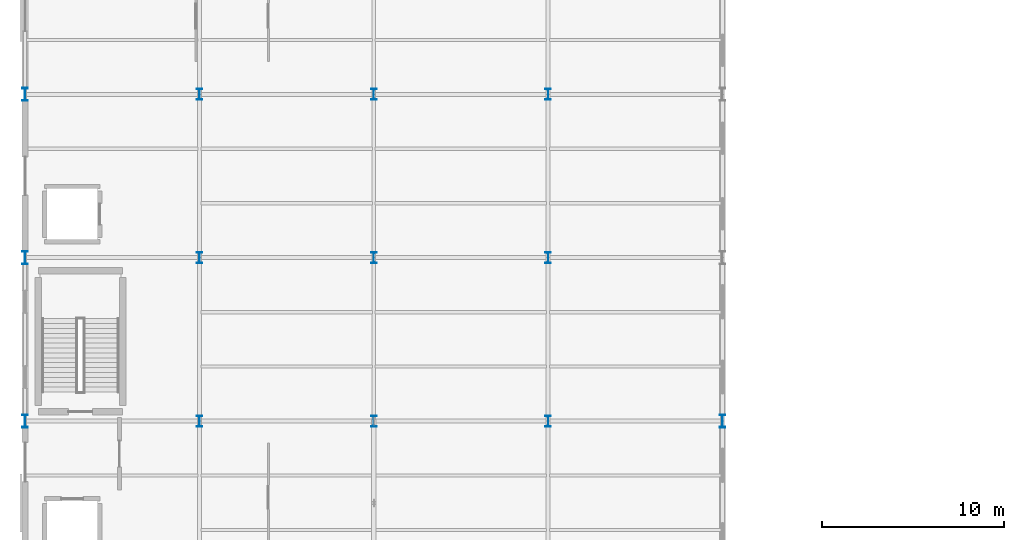
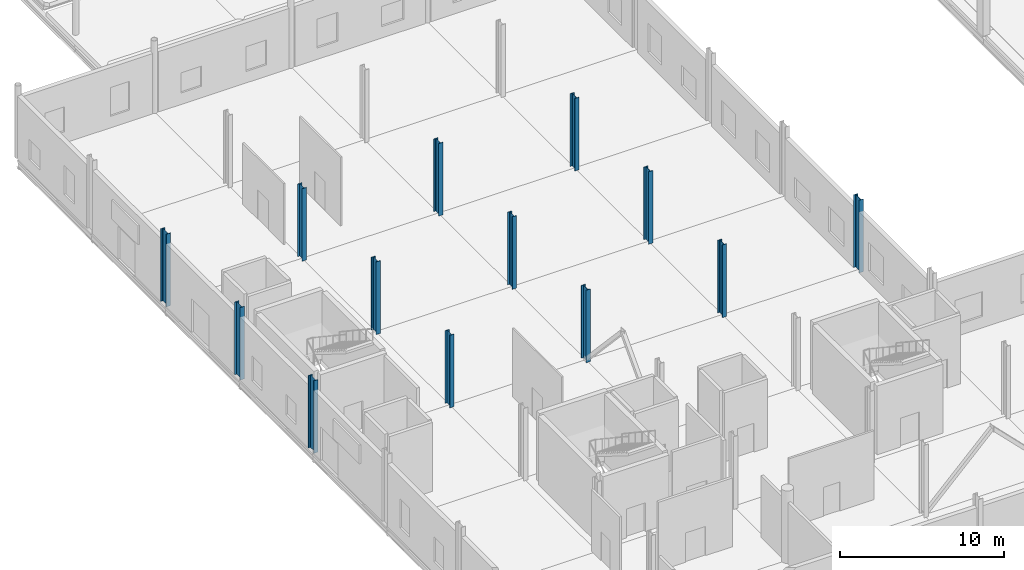
# One storey, part 3 of 85: 13 columns.
"""IFC4 building model written with IfcOpenShell, lengths in metres."""

from ifc_helpers import new_model, si_unit, direction, frame, origin, origin_2d, place, context, subcontext, project, spatial, i_section, extrude, material, material_profile, profile_set, type_object, element, save


model = new_model("IFC4")

# Units and contexts
model_context = context("Model", 3, precision=1e-05, world=origin(), true_north=direction((0.0, 1.0)))
body_context = subcontext(model_context, "Body", "Model", "MODEL_VIEW")
ifc_project = project(units=[si_unit("LENGTHUNIT", "METRE"), si_unit("AREAUNIT", "SQUARE_METRE"), si_unit("VOLUMEUNIT", "CUBIC_METRE"), si_unit("PLANEANGLEUNIT", "RADIAN"), si_unit("MASSUNIT", "GRAM", prefix="KILO")], contexts=[model_context])

# Site, building, storey
site_placement = place(None, origin())
site = spatial("IfcSite", under=ifc_project, at=site_placement, CompositionType="ELEMENT")
building_placement = place(site_placement, origin())
building = spatial("IfcBuilding", under=site, at=building_placement, Name="Zarnetskaya Central Station", CompositionType="ELEMENT")
storey_placement = place(building_placement, origin())
storey = spatial("IfcBuildingStorey", under=building, at=storey_placement, Name="L00", CompositionType="ELEMENT", Elevation=0.0)

# Columns
ifc_material = material(Name="Steel S355", Category="steel")
ifc_material_profile_1 = material_profile(ifc_material, i_section(OverallWidth=0.300048828125, OverallDepth=0.699951171875, WebThickness=0.01708984375, FlangeThickness=0.031982421875, FilletRadius=0.027099609375, at=origin_2d()), Name="HEB 700")
ifc_profile_set_1 = profile_set([ifc_material_profile_1], Name="Steel S355")
column_type_1 = type_object("IfcColumnType", Name="COL-V5-LOW-E", PredefinedType="COLUMN", material=ifc_profile_set_1)
for number, where, z_axis, x_axis, name in (
    (1, (0.0, 31.199951171875, 0.0), (0.0, 0.0, 1.0), (1.0, 0.0, 0.0), "Column A5 L00"),
    (2, (0.0, 40.199951171875, 0.0), (0.0, 0.0, 1.0), (1.0, 0.0, 0.0), "Column A6 L00"),
    (3, (0.0, 49.199951171875, 0.0), (0.0, 0.0, 1.0), (1.0, 0.0, 0.0), "Column A7 L00"),
    (4, (38.39990234375, 31.199951171875, 0.0), (0.0, 0.0, 1.0), (1.0, 0.0, 0.0), "Column E5 L00"),
):
    element("IfcColumn", number, at=place(storey_placement, frame(where, z_axis=z_axis, x_axis=x_axis)), inside=storey, type_object=column_type_1, Name=name, PredefinedType="COLUMN", context=body_context, shape_type="SweptSolid", body=[
        extrude(i_section(OverallWidth=0.300048828125, OverallDepth=0.699951171875, WebThickness=0.01708984375, FlangeThickness=0.031982421875, FilletRadius=0.027099609375, at=origin_2d()), origin(), (0.0, 0.0, 1.0), 5.39990234375),
    ])
ifc_material_profile_2 = material_profile(ifc_material, i_section(OverallWidth=0.300048828125, OverallDepth=0.60009765625, WebThickness=0.015380859375, FlangeThickness=0.030029296875, FilletRadius=0.027099609375, at=origin_2d()), Name="HEB 600")
ifc_profile_set_2 = profile_set([ifc_material_profile_2], Name="Steel S355")
column_type_2 = type_object("IfcColumnType", Name="COL-V5-LOW-I", PredefinedType="COLUMN", material=ifc_profile_set_2)
for number, where, z_axis, x_axis, name in (
    (5, (9.60009765625, 31.199951171875, 0.0), (0.0, 0.0, 1.0), (1.0, 0.0, 0.0), "Column B5 L00"),
    (6, (9.60009765625, 40.199951171875, 0.0), (0.0, 0.0, 1.0), (1.0, 0.0, 0.0), "Column B6 L00"),
    (7, (9.60009765625, 49.199951171875, 0.0), (0.0, 0.0, 1.0), (1.0, 0.0, 0.0), "Column B7 L00"),
    (8, (19.199951171875, 31.199951171875, 0.0), (0.0, 0.0, 1.0), (1.0, 0.0, 0.0), "Column C5 L00"),
    (9, (19.199951171875, 40.199951171875, 0.0), (0.0, 0.0, 1.0), (1.0, 0.0, 0.0), "Column C6 L00"),
    (10, (19.199951171875, 49.199951171875, 0.0), (0.0, 0.0, 1.0), (1.0, 0.0, 0.0), "Column C7 L00"),
    (11, (28.800048828125, 31.199951171875, 0.0), (0.0, 0.0, 1.0), (1.0, 0.0, 0.0), "Column D5 L00"),
    (12, (28.800048828125, 40.199951171875, 0.0), (0.0, 0.0, 1.0), (1.0, 0.0, 0.0), "Column D6 L00"),
    (13, (28.800048828125, 49.199951171875, 0.0), (0.0, 0.0, 1.0), (1.0, 0.0, 0.0), "Column D7 L00"),
):
    element("IfcColumn", number, at=place(storey_placement, frame(where, z_axis=z_axis, x_axis=x_axis)), inside=storey, type_object=column_type_2, Name=name, PredefinedType="COLUMN", context=body_context, shape_type="SweptSolid", body=[
        extrude(i_section(OverallWidth=0.300048828125, OverallDepth=0.60009765625, WebThickness=0.015380859375, FlangeThickness=0.030029296875, FilletRadius=0.027099609375, at=origin_2d()), origin(), (0.0, 0.0, 1.0), 5.39990234375),
    ])

save(model, "model.ifc")
